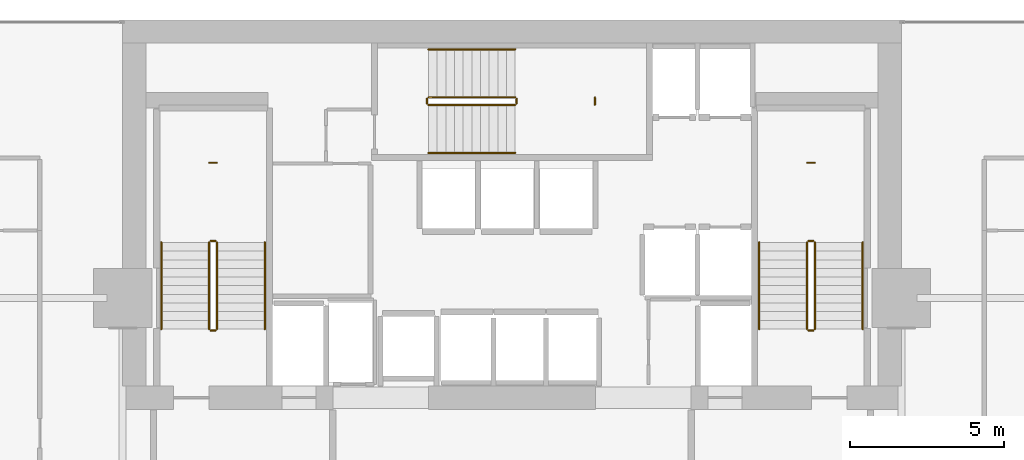
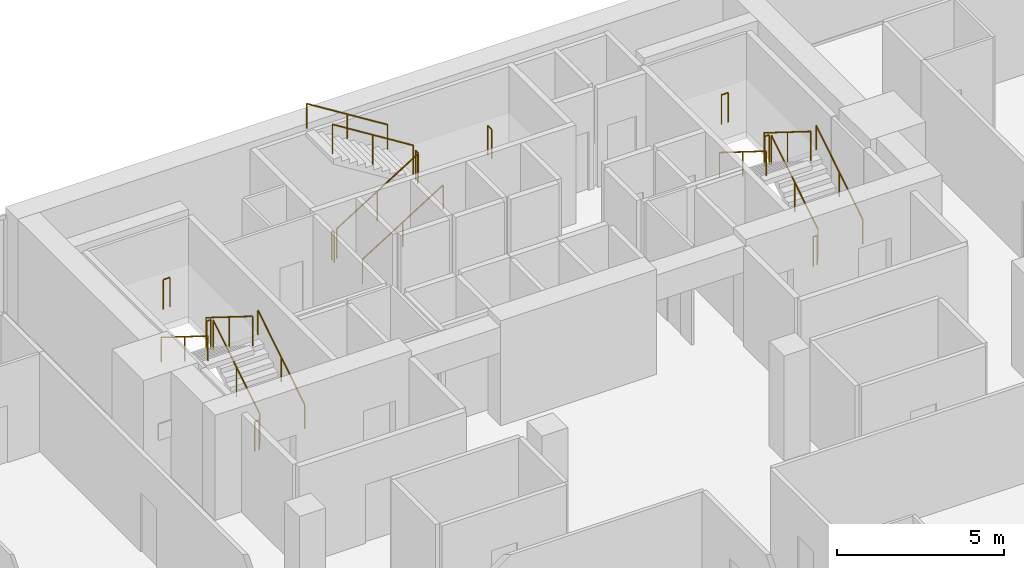
# One storey, part 32 of 32: 21 railings.
"""IFC4 building model written with IfcOpenShell, lengths in metres."""

from ifc_helpers import new_model, si_unit, direction, frame, origin, origin_2d, place, context, subcontext, project, spatial, circle, extrude, material, type_object, element, save


model = new_model("IFC4")

# Units and contexts
model_context = context("Model", 3, precision=1e-05, world=origin(), true_north=direction((0.0, 1.0)))
body_context = subcontext(model_context, "Body", "Model", "MODEL_VIEW")
ifc_project = project(units=[si_unit("LENGTHUNIT", "METRE"), si_unit("AREAUNIT", "SQUARE_METRE"), si_unit("VOLUMEUNIT", "CUBIC_METRE"), si_unit("PLANEANGLEUNIT", "RADIAN"), si_unit("MASSUNIT", "GRAM", prefix="KILO")], contexts=[model_context])

# Site, building, storey
site_placement = place(None, origin())
site = spatial("IfcSite", under=ifc_project, at=site_placement, CompositionType="ELEMENT")
building_placement = place(site_placement, origin())
building = spatial("IfcBuilding", under=site, at=building_placement, Name="Maruvema Waterfront Hotel and Observation Tower", CompositionType="ELEMENT")
storey_placement = place(building_placement, frame((0.0, 0.0, 165.89990234375)))
storey = spatial("IfcBuildingStorey", under=building, at=storey_placement, Name="L40", CompositionType="ELEMENT", Elevation=165.89990234375)

# Railings
ifc_material_1 = material(Name="Brushed stainless steel Grade 316", Category="steel")
railing_type_1 = type_object("IfcRailingType", Name="Ramp Continuous Wall Handrail 920 mm", PredefinedType="HANDRAIL", material=ifc_material_1)
railing_1_placement = place(storey_placement, frame((29.800048828125, 44.0, 0.175048828125)))
element("IfcRailing", 1, at=railing_1_placement, inside=storey, type_object=railing_type_1, Name="L40 ST-01 stair handrail 1", PredefinedType="HANDRAIL", context=body_context, shape_type="SweptSolid", body=[
    extrude(circle(Radius=0.02392578125, at=origin_2d()), frame((0.0, 0.0, 0.89599609375), z_axis=(0.0, 0.848002457836, 0.529992293815), x_axis=(-1.0, 0.0, 0.0)), (0.0, 0.0, 1.0), 3.302001953125),
    extrude(circle(Radius=0.02099609375, at=origin_2d()), origin(), (0.0, 0.0, 1.0), 0.871826171875),
    extrude(circle(Radius=0.02099609375, at=origin_2d()), frame((0.0, 1.39990234375, 0.875)), (0.0, 0.0, 1.0), 0.871826171875),
    extrude(circle(Radius=0.02099609375, at=origin_2d()), frame((0.0, 2.800048828125, 1.75)), (0.0, 0.0, 1.0), 0.871826171875),
])
railing_2_placement = place(storey_placement, frame((26.449951171875, 46.800048828125, 2.10009765625)))
element("IfcRailing", 2, at=railing_2_placement, inside=storey, type_object=railing_type_1, Name="L40 ST-01 stair handrail 2", PredefinedType="HANDRAIL", context=body_context, shape_type="SweptSolid", body=[
    extrude(circle(Radius=0.02392578125, at=origin_2d()), frame((0.0, 0.0, 0.89599609375), z_axis=(0.0, -0.848002457836, 0.529992293815), x_axis=(1.0, 0.0, 0.0)), (0.0, 0.0, 1.0), 3.302001953125),
    extrude(circle(Radius=0.02099609375, at=origin_2d()), origin(), (0.0, 0.0, 1.0), 0.871826171875),
    extrude(circle(Radius=0.02099609375, at=origin_2d()), frame((0.0, -1.39990234375, 0.875)), (0.0, 0.0, 1.0), 0.871826171875),
    extrude(circle(Radius=0.02099609375, at=origin_2d()), frame((0.0, -2.800048828125, 1.75)), (0.0, 0.0, 1.0), 0.871826171875),
])
railing_3_placement = place(storey_placement, frame((35.10009765625, 49.699951171875, 0.175048828125)))
element("IfcRailing", 3, at=railing_3_placement, inside=storey, type_object=railing_type_1, Name="L40 ST-02 stair handrail 1", PredefinedType="HANDRAIL", context=body_context, shape_type="SweptSolid", body=[
    extrude(circle(Radius=0.02392578125, at=origin_2d()), frame((0.0, 0.0, 0.89599609375), z_axis=(0.847981687118, 0.0, 0.530025526095), x_axis=(0.0, 1.0, 0.0)), (0.0, 0.0, 1.0), 3.3017578125),
    extrude(circle(Radius=0.02099609375, at=origin_2d()), origin(), (0.0, 0.0, 1.0), 0.871826171875),
    extrude(circle(Radius=0.02099609375, at=origin_2d()), frame((1.39990234375, 0.0, 0.875)), (0.0, 0.0, 1.0), 0.871826171875),
    extrude(circle(Radius=0.02099609375, at=origin_2d()), frame((2.7998046875, 0.0, 1.75)), (0.0, 0.0, 1.0), 0.871826171875),
])
railing_4_placement = place(storey_placement, frame((37.89990234375, 53.050048828125, 2.10009765625)))
element("IfcRailing", 4, at=railing_4_placement, inside=storey, type_object=railing_type_1, Name="L40 ST-02 stair handrail 2", PredefinedType="HANDRAIL", context=body_context, shape_type="SweptSolid", body=[
    extrude(circle(Radius=0.02392578125, at=origin_2d()), frame((0.0, 0.0, 0.89599609375), z_axis=(-0.847981687118, 0.0, 0.530025526095), x_axis=(0.0, -1.0, 0.0)), (0.0, 0.0, 1.0), 3.3017578125),
    extrude(circle(Radius=0.02099609375, at=origin_2d()), origin(), (0.0, 0.0, 1.0), 0.871826171875),
    extrude(circle(Radius=0.02099609375, at=origin_2d()), frame((-1.39990234375, 0.0, 0.875)), (0.0, 0.0, 1.0), 0.871826171875),
    extrude(circle(Radius=0.02099609375, at=origin_2d()), frame((-2.7998046875, 0.0, 1.75)), (0.0, 0.0, 1.0), 0.871826171875),
])
railing_5_placement = place(storey_placement, frame((49.14990234375, 44.0, 0.175048828125)))
element("IfcRailing", 5, at=railing_5_placement, inside=storey, type_object=railing_type_1, Name="L40 ST-03 stair handrail 1", PredefinedType="HANDRAIL", context=body_context, shape_type="SweptSolid", body=[
    extrude(circle(Radius=0.02392578125, at=origin_2d()), frame((0.0, 0.0, 0.89599609375), z_axis=(0.0, 0.848002457836, 0.529992293815), x_axis=(-1.0, 0.0, 0.0)), (0.0, 0.0, 1.0), 3.302001953125),
    extrude(circle(Radius=0.02099609375, at=origin_2d()), origin(), (0.0, 0.0, 1.0), 0.871826171875),
    extrude(circle(Radius=0.02099609375, at=origin_2d()), frame((0.0, 1.39990234375, 0.875)), (0.0, 0.0, 1.0), 0.871826171875),
    extrude(circle(Radius=0.02099609375, at=origin_2d()), frame((0.0, 2.800048828125, 1.75)), (0.0, 0.0, 1.0), 0.871826171875),
])
railing_6_placement = place(storey_placement, frame((45.800048828125, 46.800048828125, 2.10009765625)))
element("IfcRailing", 6, at=railing_6_placement, inside=storey, type_object=railing_type_1, Name="L40 ST-03 stair handrail 2", PredefinedType="HANDRAIL", context=body_context, shape_type="SweptSolid", body=[
    extrude(circle(Radius=0.02392578125, at=origin_2d()), frame((0.0, 0.0, 0.89599609375), z_axis=(0.0, -0.848002457836, 0.529992293815), x_axis=(1.0, 0.0, 0.0)), (0.0, 0.0, 1.0), 3.302001953125),
    extrude(circle(Radius=0.02099609375, at=origin_2d()), origin(), (0.0, 0.0, 1.0), 0.871826171875),
    extrude(circle(Radius=0.02099609375, at=origin_2d()), frame((0.0, -1.39990234375, 0.875)), (0.0, 0.0, 1.0), 0.871826171875),
    extrude(circle(Radius=0.02099609375, at=origin_2d()), frame((0.0, -2.800048828125, 1.75)), (0.0, 0.0, 1.0), 0.871826171875),
])
ifc_material_2 = material(Name="Brushed stainless steel Grade 316", Category="steel")
railing_type_2 = type_object("IfcRailingType", Name="Ramp and Terrace Guard Balustrade 1100 mm", PredefinedType="BALUSTRADE", material=ifc_material_2)
railing_7_placement = place(storey_placement, frame((28.25, 44.0, 0.175048828125)))
element("IfcRailing", 7, at=railing_7_placement, inside=storey, type_object=railing_type_2, Name="L40 ST-01 stair guard 1", PredefinedType="BALUSTRADE", context=body_context, shape_type="SweptSolid", body=[
    extrude(circle(Radius=0.02392578125, at=origin_2d()), frame((0.0, 0.0, 1.076171875), z_axis=(0.0, 0.848002457836, 0.529992293815), x_axis=(-1.0, 0.0, 0.0)), (0.0, 0.0, 1.0), 3.302001953125),
    extrude(circle(Radius=0.02099609375, at=origin_2d()), origin(), (0.0, 0.0, 1.0), 1.052001953125),
    extrude(circle(Radius=0.02099609375, at=origin_2d()), frame((0.0, 1.39990234375, 0.875)), (0.0, 0.0, 1.0), 1.052001953125),
    extrude(circle(Radius=0.02099609375, at=origin_2d()), frame((0.0, 2.800048828125, 1.75)), (0.0, 0.0, 1.0), 1.052001953125),
])
railing_8_placement = place(storey_placement, frame((28.199951171875, 46.85009765625, 1.925048828125)))
element("IfcRailing", 8, at=railing_8_placement, inside=storey, type_object=railing_type_2, Name="L40 ST-01 stair guard 2", PredefinedType="BALUSTRADE", context=body_context, shape_type="SweptSolid", body=[
    extrude(circle(Radius=0.02392578125, at=origin_2d()), frame((0.0, 0.0, 1.076171875), z_axis=(-1.0, 0.0, 0.0), x_axis=(0.0, -1.0, 0.0)), (0.0, 0.0, 1.0), 0.14990234375),
    extrude(circle(Radius=0.02099609375, at=origin_2d()), origin(), (0.0, 0.0, 1.0), 1.052001953125),
    extrude(circle(Radius=0.02099609375, at=origin_2d()), frame((-0.14990234375, 0.0, 0.0)), (0.0, 0.0, 1.0), 1.052001953125),
])
railing_9_placement = place(storey_placement, frame((28.0, 46.800048828125, 2.10009765625)))
element("IfcRailing", 9, at=railing_9_placement, inside=storey, type_object=railing_type_2, Name="L40 ST-01 stair guard 3", PredefinedType="BALUSTRADE", context=body_context, shape_type="SweptSolid", body=[
    extrude(circle(Radius=0.02392578125, at=origin_2d()), frame((0.0, 0.0, 1.076171875), z_axis=(0.0, -0.848002457836, 0.529992293815), x_axis=(1.0, 0.0, 0.0)), (0.0, 0.0, 1.0), 3.302001953125),
    extrude(circle(Radius=0.02099609375, at=origin_2d()), origin(), (0.0, 0.0, 1.0), 1.052001953125),
    extrude(circle(Radius=0.02099609375, at=origin_2d()), frame((0.0, -1.39990234375, 0.875)), (0.0, 0.0, 1.0), 1.052001953125),
    extrude(circle(Radius=0.02099609375, at=origin_2d()), frame((0.0, -2.800048828125, 1.75)), (0.0, 0.0, 1.0), 1.052001953125),
])
railing_10_placement = place(storey_placement, frame((28.199951171875, 43.949951171875, 0.0)))
element("IfcRailing", 10, at=railing_10_placement, inside=storey, type_object=railing_type_2, Name="L40 ST-01 stair guard 4", PredefinedType="BALUSTRADE", context=body_context, shape_type="SweptSolid", body=[
    extrude(circle(Radius=0.02392578125, at=origin_2d()), frame((0.0, 0.0, 1.076171875), z_axis=(-1.0, 0.0, 0.0), x_axis=(0.0, -1.0, 0.0)), (0.0, 0.0, 1.0), 0.14990234375),
    extrude(circle(Radius=0.02099609375, at=origin_2d()), origin(), (0.0, 0.0, 1.0), 1.052001953125),
    extrude(circle(Radius=0.02099609375, at=origin_2d()), frame((-0.14990234375, 0.0, 0.0)), (0.0, 0.0, 1.0), 1.052001953125),
])
railing_11_placement = place(storey_placement, frame((28.239990234375, 49.3798828125, 1.925048828125)))
element("IfcRailing", 11, at=railing_11_placement, inside=storey, type_object=railing_type_2, Name="L40 ST-01 Half-Landing Slot Guard", PredefinedType="BALUSTRADE", context=body_context, shape_type="SweptSolid", body=[
    extrude(circle(Radius=0.02392578125, at=origin_2d()), frame((0.0, 0.0, 1.076171875), z_axis=(-1.0, 0.0, 0.0), x_axis=(0.0, -1.0, 0.0)), (0.0, 0.0, 1.0), 0.22998046875),
    extrude(circle(Radius=0.02099609375, at=origin_2d()), origin(), (0.0, 0.0, 1.0), 1.052001953125),
    extrude(circle(Radius=0.02099609375, at=origin_2d()), frame((-0.22998046875, 0.0, 0.0)), (0.0, 0.0, 1.0), 1.052001953125),
])
railing_12_placement = place(storey_placement, frame((35.10009765625, 51.25, 0.175048828125)))
element("IfcRailing", 12, at=railing_12_placement, inside=storey, type_object=railing_type_2, Name="L40 ST-02 stair guard 1", PredefinedType="BALUSTRADE", context=body_context, shape_type="SweptSolid", body=[
    extrude(circle(Radius=0.02392578125, at=origin_2d()), frame((0.0, 0.0, 1.076171875), z_axis=(0.847981687118, 0.0, 0.530025526095), x_axis=(0.0, 1.0, 0.0)), (0.0, 0.0, 1.0), 3.3017578125),
    extrude(circle(Radius=0.02099609375, at=origin_2d()), origin(), (0.0, 0.0, 1.0), 1.052001953125),
    extrude(circle(Radius=0.02099609375, at=origin_2d()), frame((1.39990234375, 0.0, 0.875)), (0.0, 0.0, 1.0), 1.052001953125),
    extrude(circle(Radius=0.02099609375, at=origin_2d()), frame((2.7998046875, 0.0, 1.75)), (0.0, 0.0, 1.0), 1.052001953125),
])
railing_13_placement = place(storey_placement, frame((37.949951171875, 51.300048828125, 1.925048828125)))
element("IfcRailing", 13, at=railing_13_placement, inside=storey, type_object=railing_type_2, Name="L40 ST-02 stair guard 2", PredefinedType="BALUSTRADE", context=body_context, shape_type="SweptSolid", body=[
    extrude(circle(Radius=0.02392578125, at=origin_2d()), frame((0.0, 0.0, 1.076171875), z_axis=(0.0, 1.0, 0.0), x_axis=(-1.0, 0.0, 0.0)), (0.0, 0.0, 1.0), 0.14990234375),
    extrude(circle(Radius=0.02099609375, at=origin_2d()), origin(), (0.0, 0.0, 1.0), 1.052001953125),
    extrude(circle(Radius=0.02099609375, at=origin_2d()), frame((0.0, 0.14990234375, 0.0)), (0.0, 0.0, 1.0), 1.052001953125),
])
railing_14_placement = place(storey_placement, frame((37.89990234375, 51.5, 2.10009765625)))
element("IfcRailing", 14, at=railing_14_placement, inside=storey, type_object=railing_type_2, Name="L40 ST-02 stair guard 3", PredefinedType="BALUSTRADE", context=body_context, shape_type="SweptSolid", body=[
    extrude(circle(Radius=0.02392578125, at=origin_2d()), frame((0.0, 0.0, 1.076171875), z_axis=(-0.847981687118, 0.0, 0.530025526095), x_axis=(0.0, -1.0, 0.0)), (0.0, 0.0, 1.0), 3.3017578125),
    extrude(circle(Radius=0.02099609375, at=origin_2d()), origin(), (0.0, 0.0, 1.0), 1.052001953125),
    extrude(circle(Radius=0.02099609375, at=origin_2d()), frame((-1.39990234375, 0.0, 0.875)), (0.0, 0.0, 1.0), 1.052001953125),
    extrude(circle(Radius=0.02099609375, at=origin_2d()), frame((-2.7998046875, 0.0, 1.75)), (0.0, 0.0, 1.0), 1.052001953125),
])
railing_15_placement = place(storey_placement, frame((35.050048828125, 51.300048828125, 0.0)))
element("IfcRailing", 15, at=railing_15_placement, inside=storey, type_object=railing_type_2, Name="L40 ST-02 stair guard 4", PredefinedType="BALUSTRADE", context=body_context, shape_type="SweptSolid", body=[
    extrude(circle(Radius=0.02392578125, at=origin_2d()), frame((0.0, 0.0, 1.076171875), z_axis=(0.0, 1.0, 0.0), x_axis=(-1.0, 0.0, 0.0)), (0.0, 0.0, 1.0), 0.14990234375),
    extrude(circle(Radius=0.02099609375, at=origin_2d()), origin(), (0.0, 0.0, 1.0), 1.052001953125),
    extrude(circle(Radius=0.02099609375, at=origin_2d()), frame((0.0, 0.14990234375, 0.0)), (0.0, 0.0, 1.0), 1.052001953125),
])
railing_16_placement = place(storey_placement, frame((40.47998046875, 51.260009765625, 1.925048828125)))
element("IfcRailing", 16, at=railing_16_placement, inside=storey, type_object=railing_type_2, Name="L40 ST-02 Half-Landing Slot Guard", PredefinedType="BALUSTRADE", context=body_context, shape_type="SweptSolid", body=[
    extrude(circle(Radius=0.02392578125, at=origin_2d()), frame((0.0, 0.0, 1.076171875), z_axis=(0.0, 1.0, 0.0), x_axis=(-1.0, 0.0, 0.0)), (0.0, 0.0, 1.0), 0.22998046875),
    extrude(circle(Radius=0.02099609375, at=origin_2d()), origin(), (0.0, 0.0, 1.0), 1.052001953125),
    extrude(circle(Radius=0.02099609375, at=origin_2d()), frame((0.0, 0.22998046875, 0.0)), (0.0, 0.0, 1.0), 1.052001953125),
])
railing_17_placement = place(storey_placement, frame((47.60009765625, 44.0, 0.175048828125)))
element("IfcRailing", 17, at=railing_17_placement, inside=storey, type_object=railing_type_2, Name="L40 ST-03 stair guard 1", PredefinedType="BALUSTRADE", context=body_context, shape_type="SweptSolid", body=[
    extrude(circle(Radius=0.02392578125, at=origin_2d()), frame((0.0, 0.0, 1.076171875), z_axis=(0.0, 0.848002457836, 0.529992293815), x_axis=(-1.0, 0.0, 0.0)), (0.0, 0.0, 1.0), 3.302001953125),
    extrude(circle(Radius=0.02099609375, at=origin_2d()), origin(), (0.0, 0.0, 1.0), 1.052001953125),
    extrude(circle(Radius=0.02099609375, at=origin_2d()), frame((0.0, 1.39990234375, 0.875)), (0.0, 0.0, 1.0), 1.052001953125),
    extrude(circle(Radius=0.02099609375, at=origin_2d()), frame((0.0, 2.800048828125, 1.75)), (0.0, 0.0, 1.0), 1.052001953125),
])
railing_18_placement = place(storey_placement, frame((47.550048828125, 46.85009765625, 1.925048828125)))
element("IfcRailing", 18, at=railing_18_placement, inside=storey, type_object=railing_type_2, Name="L40 ST-03 stair guard 2", PredefinedType="BALUSTRADE", context=body_context, shape_type="SweptSolid", body=[
    extrude(circle(Radius=0.02392578125, at=origin_2d()), frame((0.0, 0.0, 1.076171875), z_axis=(-1.0, 0.0, 0.0), x_axis=(0.0, -1.0, 0.0)), (0.0, 0.0, 1.0), 0.150146484375),
    extrude(circle(Radius=0.02099609375, at=origin_2d()), origin(), (0.0, 0.0, 1.0), 1.052001953125),
    extrude(circle(Radius=0.02099609375, at=origin_2d()), frame((-0.150146484375, 0.0, 0.0)), (0.0, 0.0, 1.0), 1.052001953125),
])
railing_19_placement = place(storey_placement, frame((47.35009765625, 46.800048828125, 2.10009765625)))
element("IfcRailing", 19, at=railing_19_placement, inside=storey, type_object=railing_type_2, Name="L40 ST-03 stair guard 3", PredefinedType="BALUSTRADE", context=body_context, shape_type="SweptSolid", body=[
    extrude(circle(Radius=0.02392578125, at=origin_2d()), frame((0.0, 0.0, 1.076171875), z_axis=(0.0, -0.848002457836, 0.529992293815), x_axis=(1.0, 0.0, 0.0)), (0.0, 0.0, 1.0), 3.302001953125),
    extrude(circle(Radius=0.02099609375, at=origin_2d()), origin(), (0.0, 0.0, 1.0), 1.052001953125),
    extrude(circle(Radius=0.02099609375, at=origin_2d()), frame((0.0, -1.39990234375, 0.875)), (0.0, 0.0, 1.0), 1.052001953125),
    extrude(circle(Radius=0.02099609375, at=origin_2d()), frame((0.0, -2.800048828125, 1.75)), (0.0, 0.0, 1.0), 1.052001953125),
])
railing_20_placement = place(storey_placement, frame((47.550048828125, 43.949951171875, 0.0)))
element("IfcRailing", 20, at=railing_20_placement, inside=storey, type_object=railing_type_2, Name="L40 ST-03 stair guard 4", PredefinedType="BALUSTRADE", context=body_context, shape_type="SweptSolid", body=[
    extrude(circle(Radius=0.02392578125, at=origin_2d()), frame((0.0, 0.0, 1.076171875), z_axis=(-1.0, 0.0, 0.0), x_axis=(0.0, -1.0, 0.0)), (0.0, 0.0, 1.0), 0.150146484375),
    extrude(circle(Radius=0.02099609375, at=origin_2d()), origin(), (0.0, 0.0, 1.0), 1.052001953125),
    extrude(circle(Radius=0.02099609375, at=origin_2d()), frame((-0.150146484375, 0.0, 0.0)), (0.0, 0.0, 1.0), 1.052001953125),
])
railing_21_placement = place(storey_placement, frame((47.590087890625, 49.3798828125, 1.925048828125)))
element("IfcRailing", 21, at=railing_21_placement, inside=storey, type_object=railing_type_2, Name="L40 ST-03 Half-Landing Slot Guard", PredefinedType="BALUSTRADE", context=body_context, shape_type="SweptSolid", body=[
    extrude(circle(Radius=0.02392578125, at=origin_2d()), frame((0.0, 0.0, 1.076171875), z_axis=(-1.0, 0.0, 0.0), x_axis=(0.0, -1.0, 0.0)), (0.0, 0.0, 1.0), 0.22998046875),
    extrude(circle(Radius=0.02099609375, at=origin_2d()), origin(), (0.0, 0.0, 1.0), 1.052001953125),
    extrude(circle(Radius=0.02099609375, at=origin_2d()), frame((-0.22998046875, 0.0, 0.0)), (0.0, 0.0, 1.0), 1.052001953125),
])

save(model, "model.ifc")
